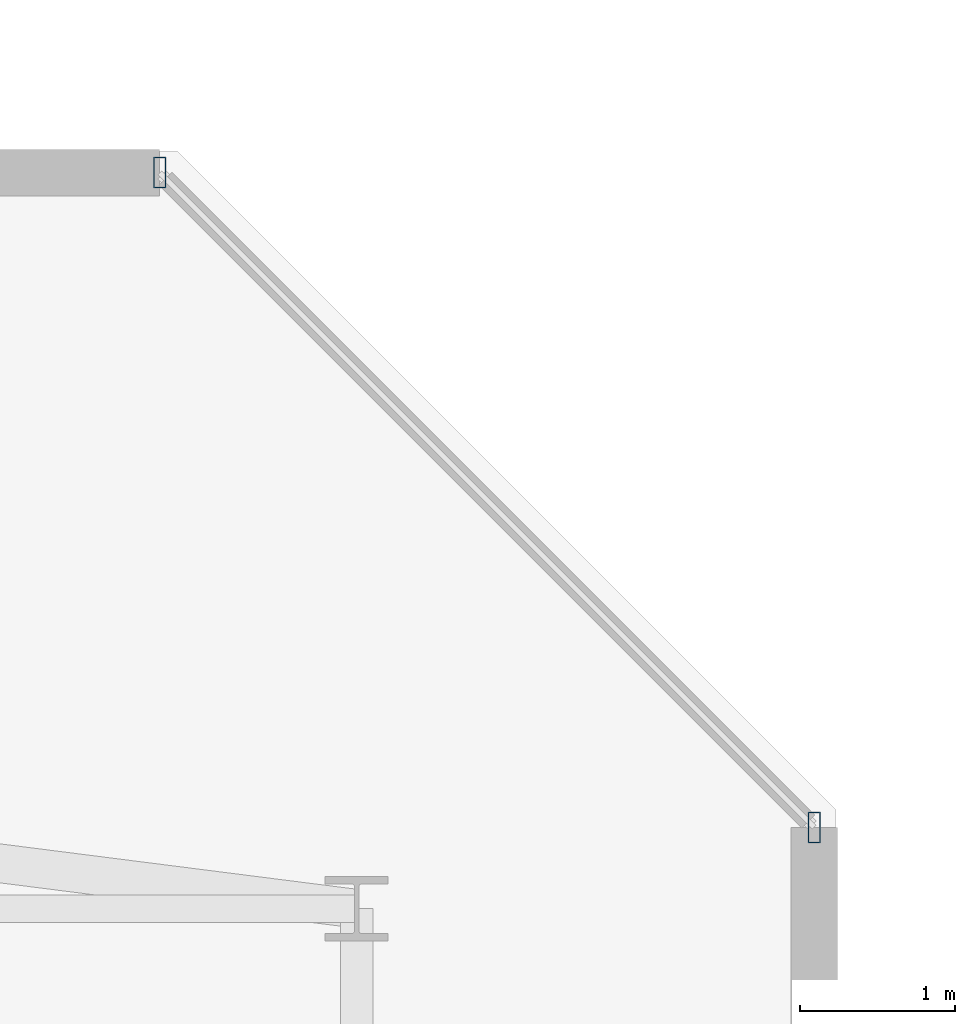
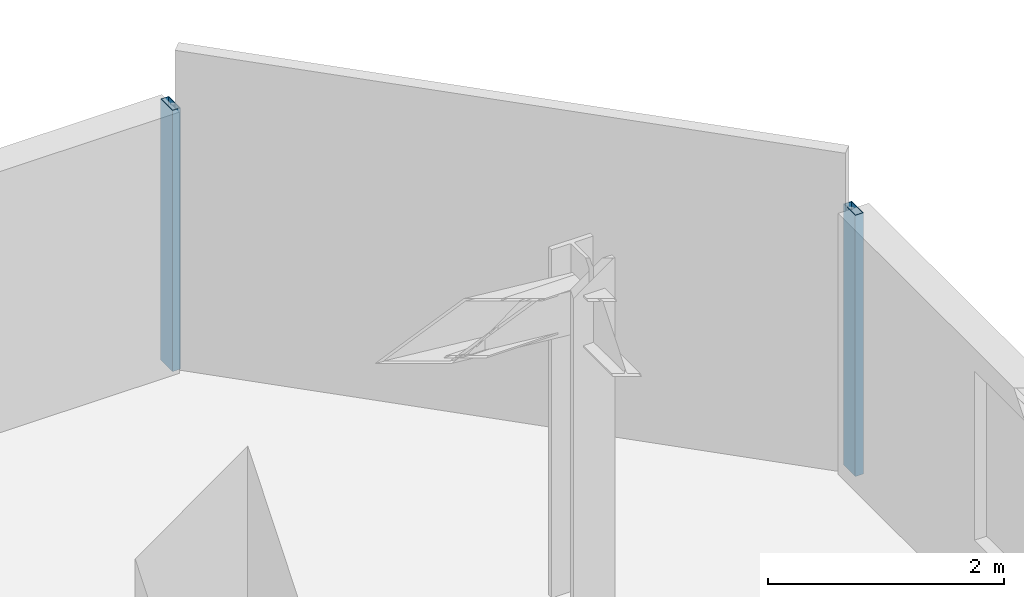
# One storey, part 9 of 30: 2 members, 1 element without a shape of its own.
"""IFC4 building model written with IfcOpenShell, lengths in metres."""

from ifc_helpers import new_model, si_unit, direction, frame, origin, origin_2d, place, context, subcontext, project, spatial, hollow_rectangle, extrude, material, material_profile, profile_set, type_object, element, aggregate, save


model = new_model("IFC4")

# Units and contexts
model_context = context("Model", 3, precision=1e-05, world=origin(), true_north=direction((0.0, 1.0)))
body_context = subcontext(model_context, "Body", "Model", "MODEL_VIEW")
ifc_project = project(units=[si_unit("LENGTHUNIT", "METRE"), si_unit("AREAUNIT", "SQUARE_METRE"), si_unit("VOLUMEUNIT", "CUBIC_METRE"), si_unit("PLANEANGLEUNIT", "RADIAN"), si_unit("MASSUNIT", "GRAM", prefix="KILO")], contexts=[model_context])

# Site, building, storey
site_placement = place(None, origin())
site = spatial("IfcSite", under=ifc_project, at=site_placement, CompositionType="ELEMENT")
building_placement = place(site_placement, origin())
building = spatial("IfcBuilding", under=site, at=building_placement, Name="Thornwick Lancets Civic Towers", CompositionType="ELEMENT")
storey_placement = place(building_placement, frame((0.0, 0.0, 149.10009765625)))
storey = spatial("IfcBuildingStorey", under=building, at=storey_placement, Name="L39", CompositionType="ELEMENT", Elevation=149.10009765625)

# Curtain wall, members
ifc_material_1 = material(Name="Mid-zone chamfered-corner unitised glass curtain wall", Category="glass")
curtain_wall_type = type_object("IfcCurtainWallType", Name="CW_SYS_04", PredefinedType="NOTDEFINED", material=ifc_material_1)
curtain_wall_placement = place(storey_placement, origin())
curtain_wall = element("IfcCurtainWall", 1, at=curtain_wall_placement, inside=storey, type_object=curtain_wall_type, Name="L39 Curtain Wall CW-L39-A-E3", PredefinedType="NOTDEFINED")
ifc_material_2 = material(Name="Thermally broken bronze aluminium S355", Category="steel")
ifc_material_profile = material_profile(ifc_material_2, hollow_rectangle(XDim=0.080078125, YDim=0.199951171875, WallThickness=0.006103515625, at=origin_2d()), Name="RHS 200x80x6")
ifc_profile_set = profile_set([ifc_material_profile], Name="Thermally broken bronze aluminium S355")
member_type = type_object("IfcMemberType", Name="CW_MUL_200", PredefinedType="MULLION", material=ifc_profile_set)
member_1_placement = place(storey_placement, frame((49.25927734375, 40.52587890625, 0.0), z_axis=(0.0, 0.0, 1.0), x_axis=(1.0, 0.0, 0.0)))
member_1 = element("IfcMember", 2, at=member_1_placement, type_object=member_type, Name="CW-L39-A-E3 Mullion 0", PredefinedType="MULLION", context=body_context, shape_type="SweptSolid", body=[
    extrude(hollow_rectangle(XDim=0.080078125, YDim=0.199951171875, WallThickness=0.006103515625, at=origin_2d()), origin(), (0.0, 0.0, 1.0), 2.699951171875),
])
member_2_placement = place(storey_placement, frame((45.02587890625, 44.75927734375, 0.0), z_axis=(0.0, 0.0, 1.0), x_axis=(1.0, 0.0, 0.0)))
member_2 = element("IfcMember", 3, at=member_2_placement, type_object=member_type, Name="CW-L39-A-E3 Mullion 1", PredefinedType="MULLION", context=body_context, shape_type="SweptSolid", body=[
    extrude(hollow_rectangle(XDim=0.080078125, YDim=0.199951171875, WallThickness=0.006103515625, at=origin_2d()), origin(), (0.0, 0.0, 1.0), 2.699951171875),
])
aggregate(curtain_wall, [member_1, member_2])

save(model, "model.ifc")
